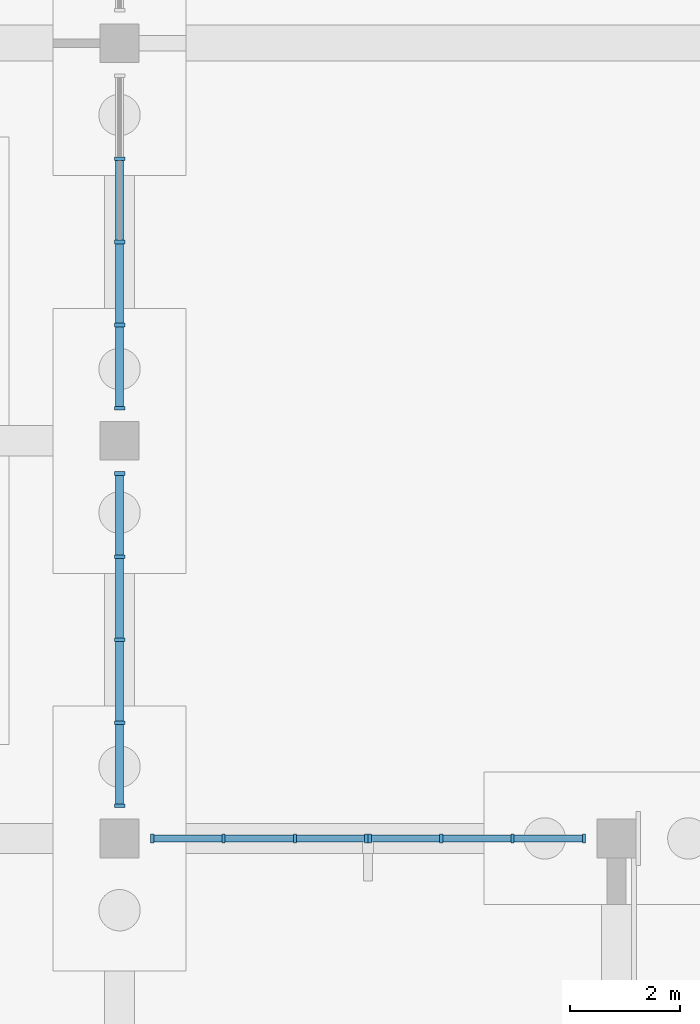
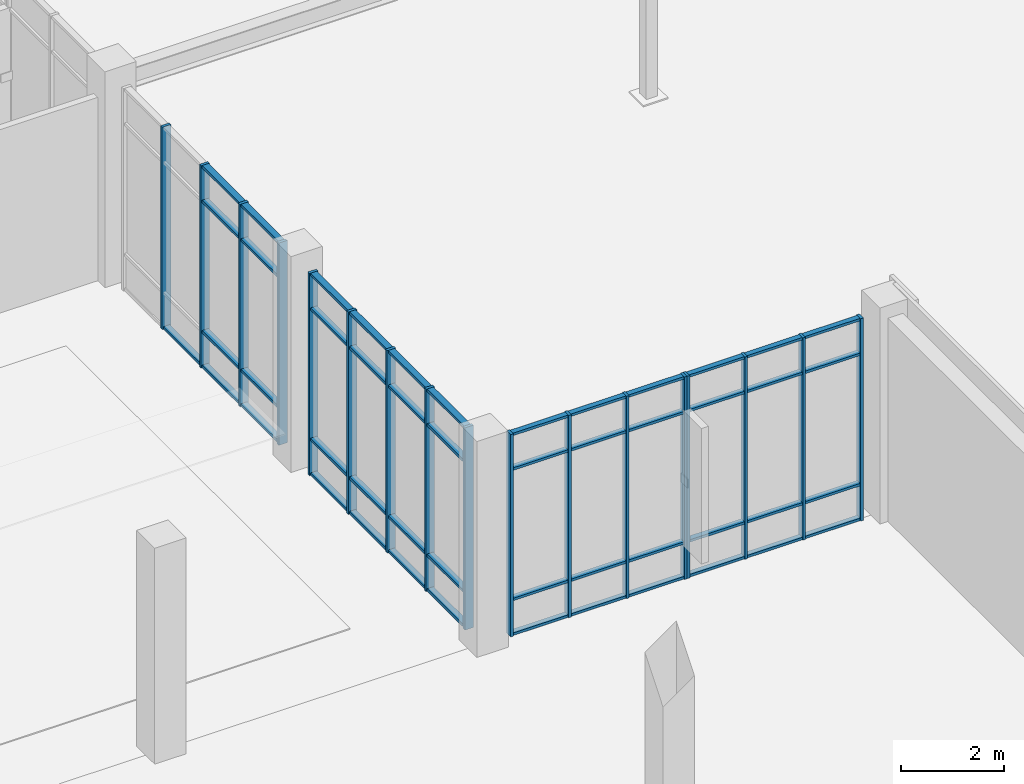
# One storey, part 35 of 94: 66 members, 4 elements without a shape of their own.
"""IFC4 building model written with IfcOpenShell, lengths in metres."""

from ifc_helpers import new_model, si_unit, direction, frame, origin, origin_2d, place, context, subcontext, project, spatial, rectangle, extrude, material, material_profile, profile_set, type_object, element, aggregate, save


model = new_model("IFC4")

# Units and contexts
model_context = context("Model", 3, precision=1e-05, world=origin(), true_north=direction((0.0, 1.0)))
body_context = subcontext(model_context, "Body", "Model", "MODEL_VIEW")
ifc_project = project(units=[si_unit("LENGTHUNIT", "METRE"), si_unit("AREAUNIT", "SQUARE_METRE"), si_unit("VOLUMEUNIT", "CUBIC_METRE"), si_unit("PLANEANGLEUNIT", "RADIAN"), si_unit("MASSUNIT", "GRAM", prefix="KILO")], contexts=[model_context])

# Site, building, storey
site_placement = place(None, origin())
site = spatial("IfcSite", under=ifc_project, at=site_placement, CompositionType="ELEMENT")
building_placement = place(site_placement, origin())
building = spatial("IfcBuilding", under=site, at=building_placement, Name="Vervanel Yard Central Library", CompositionType="ELEMENT")
storey_placement = place(building_placement, origin())
storey = spatial("IfcBuildingStorey", under=building, at=storey_placement, Name="L00", CompositionType="ELEMENT", Elevation=0.0)

# Curtain wall, members
ifc_material = material(Name="Thermally broken anodized aluminium 6063-T6", Category="aluminium")
curtain_wall_type_1 = type_object("IfcCurtainWallType", Name="Boulevard Cafe & Bridge Curtain Wall", PredefinedType="NOTDEFINED", material=ifc_material)
curtain_wall_1_placement = place(storey_placement, origin())
curtain_wall_1 = element("IfcCurtainWall", 1, at=curtain_wall_1_placement, inside=storey, type_object=curtain_wall_type_1, Name="L00 Boulevard Cafe & Bridge Curtain Wall CWR-L00-195", PredefinedType="NOTDEFINED")
ifc_material_profile_1 = material_profile(ifc_material, rectangle(XDim=0.06005859375, YDim=0.159912109375, at=origin_2d()), Name="ALU 60x160", Category="aluminium")
ifc_profile_set_1 = profile_set([ifc_material_profile_1], Name="Thermally broken anodized aluminium 6063-T6")
member_type_1 = type_object("IfcMemberType", Name="Bridge & Courtyard Mullion 60x160", PredefinedType="MULLION", material=ifc_profile_set_1)
member_1_placement = place(storey_placement, frame((36.590087890625, 28.800048828125, 0.0), z_axis=(0.0, 0.0, 1.0), x_axis=(1.0, 0.0, 0.0)))
member_1 = element("IfcMember", 2, at=member_1_placement, type_object=member_type_1, Name="CWR-L00-195 Mullion 1", PredefinedType="MULLION", context=body_context, shape_type="SweptSolid", body=[
    extrude(rectangle(XDim=0.06005859375, YDim=0.159912109375, at=origin_2d()), origin(), (0.0, 0.0, 1.0), 4.780029296875),
])
member_2_placement = place(storey_placement, frame((37.88330078125, 28.800048828125, 0.0), z_axis=(0.0, 0.0, 1.0), x_axis=(1.0, 0.0, 0.0)))
member_2 = element("IfcMember", 3, at=member_2_placement, type_object=member_type_1, Name="CWR-L00-195 Mullion 2", PredefinedType="MULLION", context=body_context, shape_type="SweptSolid", body=[
    extrude(rectangle(XDim=0.06005859375, YDim=0.159912109375, at=origin_2d()), origin(), (0.0, 0.0, 1.0), 4.780029296875),
])
member_3_placement = place(storey_placement, frame((39.1767578125, 28.800048828125, 0.0), z_axis=(0.0, 0.0, 1.0), x_axis=(1.0, 0.0, 0.0)))
member_3 = element("IfcMember", 4, at=member_3_placement, type_object=member_type_1, Name="CWR-L00-195 Mullion 3", PredefinedType="MULLION", context=body_context, shape_type="SweptSolid", body=[
    extrude(rectangle(XDim=0.06005859375, YDim=0.159912109375, at=origin_2d()), origin(), (0.0, 0.0, 1.0), 4.780029296875),
])
member_4_placement = place(storey_placement, frame((40.469970703125, 28.800048828125, 0.0), z_axis=(0.0, 0.0, 1.0), x_axis=(1.0, 0.0, 0.0)))
member_4 = element("IfcMember", 5, at=member_4_placement, type_object=member_type_1, Name="CWR-L00-195 Mullion 4", PredefinedType="MULLION", context=body_context, shape_type="SweptSolid", body=[
    extrude(rectangle(XDim=0.06005859375, YDim=0.159912109375, at=origin_2d()), origin(), (0.0, 0.0, 1.0), 4.780029296875),
])

curtain_wall_2_placement = place(storey_placement, origin())
curtain_wall_2 = element("IfcCurtainWall", 6, at=curtain_wall_2_placement, inside=storey, type_object=curtain_wall_type_1, Name="L00 Boulevard Cafe & Bridge Curtain Wall CWR-L00-196", PredefinedType="NOTDEFINED")
member_5_placement = place(storey_placement, frame((40.530029296875, 28.800048828125, 0.0), z_axis=(0.0, 0.0, 1.0), x_axis=(1.0, 0.0, 0.0)))
member_5 = element("IfcMember", 7, at=member_5_placement, type_object=member_type_1, Name="CWR-L00-196 Mullion 1", PredefinedType="MULLION", context=body_context, shape_type="SweptSolid", body=[
    extrude(rectangle(XDim=0.06005859375, YDim=0.159912109375, at=origin_2d()), origin(), (0.0, 0.0, 1.0), 4.780029296875),
])
member_6_placement = place(storey_placement, frame((41.8232421875, 28.800048828125, 0.0), z_axis=(0.0, 0.0, 1.0), x_axis=(1.0, 0.0, 0.0)))
member_6 = element("IfcMember", 8, at=member_6_placement, type_object=member_type_1, Name="CWR-L00-196 Mullion 2", PredefinedType="MULLION", context=body_context, shape_type="SweptSolid", body=[
    extrude(rectangle(XDim=0.06005859375, YDim=0.159912109375, at=origin_2d()), origin(), (0.0, 0.0, 1.0), 4.780029296875),
])
member_7_placement = place(storey_placement, frame((43.11669921875, 28.800048828125, 0.0), z_axis=(0.0, 0.0, 1.0), x_axis=(1.0, 0.0, 0.0)))
member_7 = element("IfcMember", 9, at=member_7_placement, type_object=member_type_1, Name="CWR-L00-196 Mullion 3", PredefinedType="MULLION", context=body_context, shape_type="SweptSolid", body=[
    extrude(rectangle(XDim=0.06005859375, YDim=0.159912109375, at=origin_2d()), origin(), (0.0, 0.0, 1.0), 4.780029296875),
])
member_8_placement = place(storey_placement, frame((44.409912109375, 28.800048828125, 0.0), z_axis=(0.0, 0.0, 1.0), x_axis=(1.0, 0.0, 0.0)))
member_8 = element("IfcMember", 10, at=member_8_placement, type_object=member_type_1, Name="CWR-L00-196 Mullion 4", PredefinedType="MULLION", context=body_context, shape_type="SweptSolid", body=[
    extrude(rectangle(XDim=0.06005859375, YDim=0.159912109375, at=origin_2d()), origin(), (0.0, 0.0, 1.0), 4.780029296875),
])

# Member
ifc_material_profile_2 = material_profile(ifc_material, rectangle(XDim=0.06005859375, YDim=0.1201171875, at=origin_2d()), Name="ALU 60x120", Category="aluminium")
ifc_profile_set_2 = profile_set([ifc_material_profile_2], Name="Thermally broken anodized aluminium 6063-T6")
member_type_2 = type_object("IfcMemberType", Name="Bridge & Courtyard Transom 60x120", PredefinedType="NOTDEFINED", material=ifc_profile_set_2)
member_9_placement = place(storey_placement, frame((36.6201171875, 28.800048828125, 0.030029296875), z_axis=(1.0, 0.0, 0.0), x_axis=(0.0, 0.0, 1.0)))
member_9 = element("IfcMember", 11, at=member_9_placement, type_object=member_type_2, Name="CWR-L00-195 Transom B1-T1", ObjectType="TRANSOM", PredefinedType="USERDEFINED", context=body_context, shape_type="SweptSolid", body=[
    extrude(rectangle(XDim=0.06005859375, YDim=0.1201171875, at=origin_2d()), origin(), (0.0, 0.0, 1.0), 1.233154296875),
])

member_10_placement = place(storey_placement, frame((36.6201171875, 28.800048828125, 0.85009765625), z_axis=(1.0, 0.0, 0.0), x_axis=(0.0, 0.0, 1.0)))
member_10 = element("IfcMember", 12, at=member_10_placement, type_object=member_type_2, Name="CWR-L00-195 Transom B1-T2", ObjectType="TRANSOM", PredefinedType="USERDEFINED", context=body_context, shape_type="SweptSolid", body=[
    extrude(rectangle(XDim=0.06005859375, YDim=0.1201171875, at=origin_2d()), origin(), (0.0, 0.0, 1.0), 1.233154296875),
])

member_11_placement = place(storey_placement, frame((36.6201171875, 28.800048828125, 3.929931640625), z_axis=(1.0, 0.0, 0.0), x_axis=(0.0, 0.0, 1.0)))
member_11 = element("IfcMember", 13, at=member_11_placement, type_object=member_type_2, Name="CWR-L00-195 Transom B1-T3", ObjectType="TRANSOM", PredefinedType="USERDEFINED", context=body_context, shape_type="SweptSolid", body=[
    extrude(rectangle(XDim=0.06005859375, YDim=0.1201171875, at=origin_2d()), origin(), (0.0, 0.0, 1.0), 1.233154296875),
])

member_12_placement = place(storey_placement, frame((36.6201171875, 28.800048828125, 4.75), z_axis=(1.0, 0.0, 0.0), x_axis=(0.0, 0.0, 1.0)))
member_12 = element("IfcMember", 14, at=member_12_placement, type_object=member_type_2, Name="CWR-L00-195 Transom B1-T4", ObjectType="TRANSOM", PredefinedType="USERDEFINED", context=body_context, shape_type="SweptSolid", body=[
    extrude(rectangle(XDim=0.06005859375, YDim=0.1201171875, at=origin_2d()), origin(), (0.0, 0.0, 1.0), 1.233154296875),
])

member_13_placement = place(storey_placement, frame((37.913330078125, 28.800048828125, 0.030029296875), z_axis=(1.0, 0.0, 0.0), x_axis=(0.0, 0.0, 1.0)))
member_13 = element("IfcMember", 15, at=member_13_placement, type_object=member_type_2, Name="CWR-L00-195 Transom B2-T1", ObjectType="TRANSOM", PredefinedType="USERDEFINED", context=body_context, shape_type="SweptSolid", body=[
    extrude(rectangle(XDim=0.06005859375, YDim=0.1201171875, at=origin_2d()), origin(), (0.0, 0.0, 1.0), 1.2333984375),
])

member_14_placement = place(storey_placement, frame((37.913330078125, 28.800048828125, 0.85009765625), z_axis=(1.0, 0.0, 0.0), x_axis=(0.0, 0.0, 1.0)))
member_14 = element("IfcMember", 16, at=member_14_placement, type_object=member_type_2, Name="CWR-L00-195 Transom B2-T2", ObjectType="TRANSOM", PredefinedType="USERDEFINED", context=body_context, shape_type="SweptSolid", body=[
    extrude(rectangle(XDim=0.06005859375, YDim=0.1201171875, at=origin_2d()), origin(), (0.0, 0.0, 1.0), 1.2333984375),
])

member_15_placement = place(storey_placement, frame((37.913330078125, 28.800048828125, 3.929931640625), z_axis=(1.0, 0.0, 0.0), x_axis=(0.0, 0.0, 1.0)))
member_15 = element("IfcMember", 17, at=member_15_placement, type_object=member_type_2, Name="CWR-L00-195 Transom B2-T3", ObjectType="TRANSOM", PredefinedType="USERDEFINED", context=body_context, shape_type="SweptSolid", body=[
    extrude(rectangle(XDim=0.06005859375, YDim=0.1201171875, at=origin_2d()), origin(), (0.0, 0.0, 1.0), 1.2333984375),
])

member_16_placement = place(storey_placement, frame((37.913330078125, 28.800048828125, 4.75), z_axis=(1.0, 0.0, 0.0), x_axis=(0.0, 0.0, 1.0)))
member_16 = element("IfcMember", 18, at=member_16_placement, type_object=member_type_2, Name="CWR-L00-195 Transom B2-T4", ObjectType="TRANSOM", PredefinedType="USERDEFINED", context=body_context, shape_type="SweptSolid", body=[
    extrude(rectangle(XDim=0.06005859375, YDim=0.1201171875, at=origin_2d()), origin(), (0.0, 0.0, 1.0), 1.2333984375),
])

member_17_placement = place(storey_placement, frame((39.206787109375, 28.800048828125, 0.030029296875), z_axis=(1.0, 0.0, 0.0), x_axis=(0.0, 0.0, 1.0)))
member_17 = element("IfcMember", 19, at=member_17_placement, type_object=member_type_2, Name="CWR-L00-195 Transom B3-T1", ObjectType="TRANSOM", PredefinedType="USERDEFINED", context=body_context, shape_type="SweptSolid", body=[
    extrude(rectangle(XDim=0.06005859375, YDim=0.1201171875, at=origin_2d()), origin(), (0.0, 0.0, 1.0), 1.233154296875),
])

member_18_placement = place(storey_placement, frame((39.206787109375, 28.800048828125, 0.85009765625), z_axis=(1.0, 0.0, 0.0), x_axis=(0.0, 0.0, 1.0)))
member_18 = element("IfcMember", 20, at=member_18_placement, type_object=member_type_2, Name="CWR-L00-195 Transom B3-T2", ObjectType="TRANSOM", PredefinedType="USERDEFINED", context=body_context, shape_type="SweptSolid", body=[
    extrude(rectangle(XDim=0.06005859375, YDim=0.1201171875, at=origin_2d()), origin(), (0.0, 0.0, 1.0), 1.233154296875),
])

member_19_placement = place(storey_placement, frame((39.206787109375, 28.800048828125, 3.929931640625), z_axis=(1.0, 0.0, 0.0), x_axis=(0.0, 0.0, 1.0)))
member_19 = element("IfcMember", 21, at=member_19_placement, type_object=member_type_2, Name="CWR-L00-195 Transom B3-T3", ObjectType="TRANSOM", PredefinedType="USERDEFINED", context=body_context, shape_type="SweptSolid", body=[
    extrude(rectangle(XDim=0.06005859375, YDim=0.1201171875, at=origin_2d()), origin(), (0.0, 0.0, 1.0), 1.233154296875),
])

member_20_placement = place(storey_placement, frame((39.206787109375, 28.800048828125, 4.75), z_axis=(1.0, 0.0, 0.0), x_axis=(0.0, 0.0, 1.0)))
member_20 = element("IfcMember", 22, at=member_20_placement, type_object=member_type_2, Name="CWR-L00-195 Transom B3-T4", ObjectType="TRANSOM", PredefinedType="USERDEFINED", context=body_context, shape_type="SweptSolid", body=[
    extrude(rectangle(XDim=0.06005859375, YDim=0.1201171875, at=origin_2d()), origin(), (0.0, 0.0, 1.0), 1.233154296875),
])

aggregate(curtain_wall_1, [member_1, member_2, member_3, member_4, member_9, member_10, member_11, member_12, member_13, member_14, member_15, member_16, member_17, member_18, member_19, member_20])

member_21_placement = place(storey_placement, frame((40.56005859375, 28.800048828125, 0.030029296875), z_axis=(1.0, 0.0, 0.0), x_axis=(0.0, 0.0, 1.0)))
member_21 = element("IfcMember", 23, at=member_21_placement, type_object=member_type_2, Name="CWR-L00-196 Transom B1-T1", ObjectType="TRANSOM", PredefinedType="USERDEFINED", context=body_context, shape_type="SweptSolid", body=[
    extrude(rectangle(XDim=0.06005859375, YDim=0.1201171875, at=origin_2d()), origin(), (0.0, 0.0, 1.0), 1.233154296875),
])

member_22_placement = place(storey_placement, frame((40.56005859375, 28.800048828125, 0.85009765625), z_axis=(1.0, 0.0, 0.0), x_axis=(0.0, 0.0, 1.0)))
member_22 = element("IfcMember", 24, at=member_22_placement, type_object=member_type_2, Name="CWR-L00-196 Transom B1-T2", ObjectType="TRANSOM", PredefinedType="USERDEFINED", context=body_context, shape_type="SweptSolid", body=[
    extrude(rectangle(XDim=0.06005859375, YDim=0.1201171875, at=origin_2d()), origin(), (0.0, 0.0, 1.0), 1.233154296875),
])

member_23_placement = place(storey_placement, frame((40.56005859375, 28.800048828125, 3.929931640625), z_axis=(1.0, 0.0, 0.0), x_axis=(0.0, 0.0, 1.0)))
member_23 = element("IfcMember", 25, at=member_23_placement, type_object=member_type_2, Name="CWR-L00-196 Transom B1-T3", ObjectType="TRANSOM", PredefinedType="USERDEFINED", context=body_context, shape_type="SweptSolid", body=[
    extrude(rectangle(XDim=0.06005859375, YDim=0.1201171875, at=origin_2d()), origin(), (0.0, 0.0, 1.0), 1.233154296875),
])

member_24_placement = place(storey_placement, frame((40.56005859375, 28.800048828125, 4.75), z_axis=(1.0, 0.0, 0.0), x_axis=(0.0, 0.0, 1.0)))
member_24 = element("IfcMember", 26, at=member_24_placement, type_object=member_type_2, Name="CWR-L00-196 Transom B1-T4", ObjectType="TRANSOM", PredefinedType="USERDEFINED", context=body_context, shape_type="SweptSolid", body=[
    extrude(rectangle(XDim=0.06005859375, YDim=0.1201171875, at=origin_2d()), origin(), (0.0, 0.0, 1.0), 1.233154296875),
])

member_25_placement = place(storey_placement, frame((41.853271484375, 28.800048828125, 0.030029296875), z_axis=(1.0, 0.0, 0.0), x_axis=(0.0, 0.0, 1.0)))
member_25 = element("IfcMember", 27, at=member_25_placement, type_object=member_type_2, Name="CWR-L00-196 Transom B2-T1", ObjectType="TRANSOM", PredefinedType="USERDEFINED", context=body_context, shape_type="SweptSolid", body=[
    extrude(rectangle(XDim=0.06005859375, YDim=0.1201171875, at=origin_2d()), origin(), (0.0, 0.0, 1.0), 1.2333984375),
])

member_26_placement = place(storey_placement, frame((41.853271484375, 28.800048828125, 0.85009765625), z_axis=(1.0, 0.0, 0.0), x_axis=(0.0, 0.0, 1.0)))
member_26 = element("IfcMember", 28, at=member_26_placement, type_object=member_type_2, Name="CWR-L00-196 Transom B2-T2", ObjectType="TRANSOM", PredefinedType="USERDEFINED", context=body_context, shape_type="SweptSolid", body=[
    extrude(rectangle(XDim=0.06005859375, YDim=0.1201171875, at=origin_2d()), origin(), (0.0, 0.0, 1.0), 1.2333984375),
])

member_27_placement = place(storey_placement, frame((41.853271484375, 28.800048828125, 3.929931640625), z_axis=(1.0, 0.0, 0.0), x_axis=(0.0, 0.0, 1.0)))
member_27 = element("IfcMember", 29, at=member_27_placement, type_object=member_type_2, Name="CWR-L00-196 Transom B2-T3", ObjectType="TRANSOM", PredefinedType="USERDEFINED", context=body_context, shape_type="SweptSolid", body=[
    extrude(rectangle(XDim=0.06005859375, YDim=0.1201171875, at=origin_2d()), origin(), (0.0, 0.0, 1.0), 1.2333984375),
])

member_28_placement = place(storey_placement, frame((41.853271484375, 28.800048828125, 4.75), z_axis=(1.0, 0.0, 0.0), x_axis=(0.0, 0.0, 1.0)))
member_28 = element("IfcMember", 30, at=member_28_placement, type_object=member_type_2, Name="CWR-L00-196 Transom B2-T4", ObjectType="TRANSOM", PredefinedType="USERDEFINED", context=body_context, shape_type="SweptSolid", body=[
    extrude(rectangle(XDim=0.06005859375, YDim=0.1201171875, at=origin_2d()), origin(), (0.0, 0.0, 1.0), 1.2333984375),
])

member_29_placement = place(storey_placement, frame((43.146728515625, 28.800048828125, 0.030029296875), z_axis=(1.0, 0.0, 0.0), x_axis=(0.0, 0.0, 1.0)))
member_29 = element("IfcMember", 31, at=member_29_placement, type_object=member_type_2, Name="CWR-L00-196 Transom B3-T1", ObjectType="TRANSOM", PredefinedType="USERDEFINED", context=body_context, shape_type="SweptSolid", body=[
    extrude(rectangle(XDim=0.06005859375, YDim=0.1201171875, at=origin_2d()), origin(), (0.0, 0.0, 1.0), 1.233154296875),
])

member_30_placement = place(storey_placement, frame((43.146728515625, 28.800048828125, 0.85009765625), z_axis=(1.0, 0.0, 0.0), x_axis=(0.0, 0.0, 1.0)))
member_30 = element("IfcMember", 32, at=member_30_placement, type_object=member_type_2, Name="CWR-L00-196 Transom B3-T2", ObjectType="TRANSOM", PredefinedType="USERDEFINED", context=body_context, shape_type="SweptSolid", body=[
    extrude(rectangle(XDim=0.06005859375, YDim=0.1201171875, at=origin_2d()), origin(), (0.0, 0.0, 1.0), 1.233154296875),
])

member_31_placement = place(storey_placement, frame((43.146728515625, 28.800048828125, 3.929931640625), z_axis=(1.0, 0.0, 0.0), x_axis=(0.0, 0.0, 1.0)))
member_31 = element("IfcMember", 33, at=member_31_placement, type_object=member_type_2, Name="CWR-L00-196 Transom B3-T3", ObjectType="TRANSOM", PredefinedType="USERDEFINED", context=body_context, shape_type="SweptSolid", body=[
    extrude(rectangle(XDim=0.06005859375, YDim=0.1201171875, at=origin_2d()), origin(), (0.0, 0.0, 1.0), 1.233154296875),
])

member_32_placement = place(storey_placement, frame((43.146728515625, 28.800048828125, 4.75), z_axis=(1.0, 0.0, 0.0), x_axis=(0.0, 0.0, 1.0)))
member_32 = element("IfcMember", 34, at=member_32_placement, type_object=member_type_2, Name="CWR-L00-196 Transom B3-T4", ObjectType="TRANSOM", PredefinedType="USERDEFINED", context=body_context, shape_type="SweptSolid", body=[
    extrude(rectangle(XDim=0.06005859375, YDim=0.1201171875, at=origin_2d()), origin(), (0.0, 0.0, 1.0), 1.233154296875),
])

aggregate(curtain_wall_2, [member_5, member_6, member_7, member_8, member_21, member_22, member_23, member_24, member_25, member_26, member_27, member_28, member_29, member_30, member_31, member_32])

# Curtain wall, members
curtain_wall_type_2 = type_object("IfcCurtainWallType", Name="Atrium Courtyard Curtain Wall", PredefinedType="NOTDEFINED", material=ifc_material)
curtain_wall_3_placement = place(storey_placement, origin())
curtain_wall_3 = element("IfcCurtainWall", 35, at=curtain_wall_3_placement, inside=storey, type_object=curtain_wall_type_2, Name="L00 Atrium Courtyard Curtain Wall CWR-L00-017", PredefinedType="NOTDEFINED")
ifc_material_profile_3 = material_profile(ifc_material, rectangle(XDim=0.06494140625, YDim=0.18994140625, at=origin_2d()), Name="ALU 65x190", Category="aluminium")
ifc_profile_set_3 = profile_set([ifc_material_profile_3], Name="Thermally broken anodized aluminium 6063-T6")
member_type_3 = type_object("IfcMemberType", Name="Curtain Wall Primary Mullion 65x190", PredefinedType="MULLION", material=ifc_profile_set_3)
member_33_placement = place(storey_placement, frame((36.0, 29.392578125, 0.0), z_axis=(0.0, 0.0, 1.0), x_axis=(0.0, 1.0, 0.0)))
member_33 = element("IfcMember", 36, at=member_33_placement, type_object=member_type_3, Name="CWR-L00-017 Mullion 1", PredefinedType="MULLION", context=body_context, shape_type="SweptSolid", body=[
    extrude(rectangle(XDim=0.06494140625, YDim=0.18994140625, at=origin_2d()), origin(), (0.0, 0.0, 1.0), 4.780029296875),
])
member_34_placement = place(storey_placement, frame((36.0, 30.896240234375, 0.0), z_axis=(0.0, 0.0, 1.0), x_axis=(0.0, 1.0, 0.0)))
member_34 = element("IfcMember", 37, at=member_34_placement, type_object=member_type_3, Name="CWR-L00-017 Mullion 2", PredefinedType="MULLION", context=body_context, shape_type="SweptSolid", body=[
    extrude(rectangle(XDim=0.06494140625, YDim=0.18994140625, at=origin_2d()), origin(), (0.0, 0.0, 1.0), 4.780029296875),
])
member_35_placement = place(storey_placement, frame((36.0, 32.39990234375, 0.0), z_axis=(0.0, 0.0, 1.0), x_axis=(0.0, 1.0, 0.0)))
member_35 = element("IfcMember", 38, at=member_35_placement, type_object=member_type_3, Name="CWR-L00-017 Mullion 3", PredefinedType="MULLION", context=body_context, shape_type="SweptSolid", body=[
    extrude(rectangle(XDim=0.06494140625, YDim=0.18994140625, at=origin_2d()), origin(), (0.0, 0.0, 1.0), 4.780029296875),
])
member_36_placement = place(storey_placement, frame((36.0, 33.90380859375, 0.0), z_axis=(0.0, 0.0, 1.0), x_axis=(0.0, 1.0, 0.0)))
member_36 = element("IfcMember", 39, at=member_36_placement, type_object=member_type_3, Name="CWR-L00-017 Mullion 4", PredefinedType="MULLION", context=body_context, shape_type="SweptSolid", body=[
    extrude(rectangle(XDim=0.06494140625, YDim=0.18994140625, at=origin_2d()), origin(), (0.0, 0.0, 1.0), 4.780029296875),
])
member_37_placement = place(storey_placement, frame((36.0, 35.407470703125, 0.0), z_axis=(0.0, 0.0, 1.0), x_axis=(0.0, 1.0, 0.0)))
member_37 = element("IfcMember", 40, at=member_37_placement, type_object=member_type_3, Name="CWR-L00-017 Mullion 5", PredefinedType="MULLION", context=body_context, shape_type="SweptSolid", body=[
    extrude(rectangle(XDim=0.06494140625, YDim=0.18994140625, at=origin_2d()), origin(), (0.0, 0.0, 1.0), 4.780029296875),
])

curtain_wall_4_placement = place(storey_placement, origin())
curtain_wall_4 = element("IfcCurtainWall", 41, at=curtain_wall_4_placement, inside=storey, type_object=curtain_wall_type_2, Name="L00 Atrium Courtyard Curtain Wall CWR-L00-018", PredefinedType="NOTDEFINED")
member_38_placement = place(storey_placement, frame((36.0, 36.592529296875, 0.0), z_axis=(0.0, 0.0, 1.0), x_axis=(0.0, 1.0, 0.0)))
member_38 = element("IfcMember", 42, at=member_38_placement, type_object=member_type_3, Name="CWR-L00-018 Mullion 1", PredefinedType="MULLION", context=body_context, shape_type="SweptSolid", body=[
    extrude(rectangle(XDim=0.06494140625, YDim=0.18994140625, at=origin_2d()), origin(), (0.0, 0.0, 1.0), 4.780029296875),
])
member_39_placement = place(storey_placement, frame((36.0, 38.09619140625, 0.0), z_axis=(0.0, 0.0, 1.0), x_axis=(0.0, 1.0, 0.0)))
member_39 = element("IfcMember", 43, at=member_39_placement, type_object=member_type_3, Name="CWR-L00-018 Mullion 2", PredefinedType="MULLION", context=body_context, shape_type="SweptSolid", body=[
    extrude(rectangle(XDim=0.06494140625, YDim=0.18994140625, at=origin_2d()), origin(), (0.0, 0.0, 1.0), 4.780029296875),
])
member_40_placement = place(storey_placement, frame((36.0, 39.60009765625, 0.0), z_axis=(0.0, 0.0, 1.0), x_axis=(0.0, 1.0, 0.0)))
member_40 = element("IfcMember", 44, at=member_40_placement, type_object=member_type_3, Name="CWR-L00-018 Mullion 3", PredefinedType="MULLION", context=body_context, shape_type="SweptSolid", body=[
    extrude(rectangle(XDim=0.06494140625, YDim=0.18994140625, at=origin_2d()), origin(), (0.0, 0.0, 1.0), 4.780029296875),
])
member_41_placement = place(storey_placement, frame((36.0, 41.103759765625, 0.0), z_axis=(0.0, 0.0, 1.0), x_axis=(0.0, 1.0, 0.0)))
member_41 = element("IfcMember", 45, at=member_41_placement, type_object=member_type_3, Name="CWR-L00-018 Mullion 4", PredefinedType="MULLION", context=body_context, shape_type="SweptSolid", body=[
    extrude(rectangle(XDim=0.06494140625, YDim=0.18994140625, at=origin_2d()), origin(), (0.0, 0.0, 1.0), 4.780029296875),
])

# Member
ifc_material_profile_4 = material_profile(ifc_material, rectangle(XDim=0.06494140625, YDim=0.139892578125, at=origin_2d()), Name="ALU 65x140", Category="aluminium")
ifc_profile_set_4 = profile_set([ifc_material_profile_4], Name="Thermally broken anodized aluminium 6063-T6")
member_type_4 = type_object("IfcMemberType", Name="Curtain Wall Transom 65x140", PredefinedType="NOTDEFINED", material=ifc_profile_set_4)
member_42_placement = place(storey_placement, frame((36.0, 29.425048828125, 0.032470703125), z_axis=(0.0, 1.0, 0.0), x_axis=(0.0, 0.0, 1.0)))
member_42 = element("IfcMember", 46, at=member_42_placement, type_object=member_type_4, Name="CWR-L00-017 Transom B1-T1", ObjectType="TRANSOM", PredefinedType="USERDEFINED", context=body_context, shape_type="SweptSolid", body=[
    extrude(rectangle(XDim=0.06494140625, YDim=0.139892578125, at=origin_2d()), origin(), (0.0, 0.0, 1.0), 1.438720703125),
])

member_43_placement = place(storey_placement, frame((36.0, 29.425048828125, 0.85009765625), z_axis=(0.0, 1.0, 0.0), x_axis=(0.0, 0.0, 1.0)))
member_43 = element("IfcMember", 47, at=member_43_placement, type_object=member_type_4, Name="CWR-L00-017 Transom B1-T2", ObjectType="TRANSOM", PredefinedType="USERDEFINED", context=body_context, shape_type="SweptSolid", body=[
    extrude(rectangle(XDim=0.06494140625, YDim=0.139892578125, at=origin_2d()), origin(), (0.0, 0.0, 1.0), 1.438720703125),
])

member_44_placement = place(storey_placement, frame((36.0, 29.425048828125, 3.929931640625), z_axis=(0.0, 1.0, 0.0), x_axis=(0.0, 0.0, 1.0)))
member_44 = element("IfcMember", 48, at=member_44_placement, type_object=member_type_4, Name="CWR-L00-017 Transom B1-T3", ObjectType="TRANSOM", PredefinedType="USERDEFINED", context=body_context, shape_type="SweptSolid", body=[
    extrude(rectangle(XDim=0.06494140625, YDim=0.139892578125, at=origin_2d()), origin(), (0.0, 0.0, 1.0), 1.438720703125),
])

member_45_placement = place(storey_placement, frame((36.0, 29.425048828125, 4.74755859375), z_axis=(0.0, 1.0, 0.0), x_axis=(0.0, 0.0, 1.0)))
member_45 = element("IfcMember", 49, at=member_45_placement, type_object=member_type_4, Name="CWR-L00-017 Transom B1-T4", ObjectType="TRANSOM", PredefinedType="USERDEFINED", context=body_context, shape_type="SweptSolid", body=[
    extrude(rectangle(XDim=0.06494140625, YDim=0.139892578125, at=origin_2d()), origin(), (0.0, 0.0, 1.0), 1.438720703125),
])

member_46_placement = place(storey_placement, frame((36.0, 30.9287109375, 0.032470703125), z_axis=(0.0, 1.0, 0.0), x_axis=(0.0, 0.0, 1.0)))
member_46 = element("IfcMember", 50, at=member_46_placement, type_object=member_type_4, Name="CWR-L00-017 Transom B2-T1", ObjectType="TRANSOM", PredefinedType="USERDEFINED", context=body_context, shape_type="SweptSolid", body=[
    extrude(rectangle(XDim=0.06494140625, YDim=0.139892578125, at=origin_2d()), origin(), (0.0, 0.0, 1.0), 1.438720703125),
])

member_47_placement = place(storey_placement, frame((36.0, 30.9287109375, 0.85009765625), z_axis=(0.0, 1.0, 0.0), x_axis=(0.0, 0.0, 1.0)))
member_47 = element("IfcMember", 51, at=member_47_placement, type_object=member_type_4, Name="CWR-L00-017 Transom B2-T2", ObjectType="TRANSOM", PredefinedType="USERDEFINED", context=body_context, shape_type="SweptSolid", body=[
    extrude(rectangle(XDim=0.06494140625, YDim=0.139892578125, at=origin_2d()), origin(), (0.0, 0.0, 1.0), 1.438720703125),
])

member_48_placement = place(storey_placement, frame((36.0, 30.9287109375, 3.929931640625), z_axis=(0.0, 1.0, 0.0), x_axis=(0.0, 0.0, 1.0)))
member_48 = element("IfcMember", 52, at=member_48_placement, type_object=member_type_4, Name="CWR-L00-017 Transom B2-T3", ObjectType="TRANSOM", PredefinedType="USERDEFINED", context=body_context, shape_type="SweptSolid", body=[
    extrude(rectangle(XDim=0.06494140625, YDim=0.139892578125, at=origin_2d()), origin(), (0.0, 0.0, 1.0), 1.438720703125),
])

member_49_placement = place(storey_placement, frame((36.0, 30.9287109375, 4.74755859375), z_axis=(0.0, 1.0, 0.0), x_axis=(0.0, 0.0, 1.0)))
member_49 = element("IfcMember", 53, at=member_49_placement, type_object=member_type_4, Name="CWR-L00-017 Transom B2-T4", ObjectType="TRANSOM", PredefinedType="USERDEFINED", context=body_context, shape_type="SweptSolid", body=[
    extrude(rectangle(XDim=0.06494140625, YDim=0.139892578125, at=origin_2d()), origin(), (0.0, 0.0, 1.0), 1.438720703125),
])

member_50_placement = place(storey_placement, frame((36.0, 32.4326171875, 0.032470703125), z_axis=(0.0, 1.0, 0.0), x_axis=(0.0, 0.0, 1.0)))
member_50 = element("IfcMember", 54, at=member_50_placement, type_object=member_type_4, Name="CWR-L00-017 Transom B3-T1", ObjectType="TRANSOM", PredefinedType="USERDEFINED", context=body_context, shape_type="SweptSolid", body=[
    extrude(rectangle(XDim=0.06494140625, YDim=0.139892578125, at=origin_2d()), origin(), (0.0, 0.0, 1.0), 1.438720703125),
])

member_51_placement = place(storey_placement, frame((36.0, 32.4326171875, 0.85009765625), z_axis=(0.0, 1.0, 0.0), x_axis=(0.0, 0.0, 1.0)))
member_51 = element("IfcMember", 55, at=member_51_placement, type_object=member_type_4, Name="CWR-L00-017 Transom B3-T2", ObjectType="TRANSOM", PredefinedType="USERDEFINED", context=body_context, shape_type="SweptSolid", body=[
    extrude(rectangle(XDim=0.06494140625, YDim=0.139892578125, at=origin_2d()), origin(), (0.0, 0.0, 1.0), 1.438720703125),
])

member_52_placement = place(storey_placement, frame((36.0, 32.4326171875, 3.929931640625), z_axis=(0.0, 1.0, 0.0), x_axis=(0.0, 0.0, 1.0)))
member_52 = element("IfcMember", 56, at=member_52_placement, type_object=member_type_4, Name="CWR-L00-017 Transom B3-T3", ObjectType="TRANSOM", PredefinedType="USERDEFINED", context=body_context, shape_type="SweptSolid", body=[
    extrude(rectangle(XDim=0.06494140625, YDim=0.139892578125, at=origin_2d()), origin(), (0.0, 0.0, 1.0), 1.438720703125),
])

member_53_placement = place(storey_placement, frame((36.0, 32.4326171875, 4.74755859375), z_axis=(0.0, 1.0, 0.0), x_axis=(0.0, 0.0, 1.0)))
member_53 = element("IfcMember", 57, at=member_53_placement, type_object=member_type_4, Name="CWR-L00-017 Transom B3-T4", ObjectType="TRANSOM", PredefinedType="USERDEFINED", context=body_context, shape_type="SweptSolid", body=[
    extrude(rectangle(XDim=0.06494140625, YDim=0.139892578125, at=origin_2d()), origin(), (0.0, 0.0, 1.0), 1.438720703125),
])

member_54_placement = place(storey_placement, frame((36.0, 33.936279296875, 0.032470703125), z_axis=(0.0, 1.0, 0.0), x_axis=(0.0, 0.0, 1.0)))
member_54 = element("IfcMember", 58, at=member_54_placement, type_object=member_type_4, Name="CWR-L00-017 Transom B4-T1", ObjectType="TRANSOM", PredefinedType="USERDEFINED", context=body_context, shape_type="SweptSolid", body=[
    extrude(rectangle(XDim=0.06494140625, YDim=0.139892578125, at=origin_2d()), origin(), (0.0, 0.0, 1.0), 1.438720703125),
])

member_55_placement = place(storey_placement, frame((36.0, 33.936279296875, 0.85009765625), z_axis=(0.0, 1.0, 0.0), x_axis=(0.0, 0.0, 1.0)))
member_55 = element("IfcMember", 59, at=member_55_placement, type_object=member_type_4, Name="CWR-L00-017 Transom B4-T2", ObjectType="TRANSOM", PredefinedType="USERDEFINED", context=body_context, shape_type="SweptSolid", body=[
    extrude(rectangle(XDim=0.06494140625, YDim=0.139892578125, at=origin_2d()), origin(), (0.0, 0.0, 1.0), 1.438720703125),
])

member_56_placement = place(storey_placement, frame((36.0, 33.936279296875, 3.929931640625), z_axis=(0.0, 1.0, 0.0), x_axis=(0.0, 0.0, 1.0)))
member_56 = element("IfcMember", 60, at=member_56_placement, type_object=member_type_4, Name="CWR-L00-017 Transom B4-T3", ObjectType="TRANSOM", PredefinedType="USERDEFINED", context=body_context, shape_type="SweptSolid", body=[
    extrude(rectangle(XDim=0.06494140625, YDim=0.139892578125, at=origin_2d()), origin(), (0.0, 0.0, 1.0), 1.438720703125),
])

member_57_placement = place(storey_placement, frame((36.0, 33.936279296875, 4.74755859375), z_axis=(0.0, 1.0, 0.0), x_axis=(0.0, 0.0, 1.0)))
member_57 = element("IfcMember", 61, at=member_57_placement, type_object=member_type_4, Name="CWR-L00-017 Transom B4-T4", ObjectType="TRANSOM", PredefinedType="USERDEFINED", context=body_context, shape_type="SweptSolid", body=[
    extrude(rectangle(XDim=0.06494140625, YDim=0.139892578125, at=origin_2d()), origin(), (0.0, 0.0, 1.0), 1.438720703125),
])

aggregate(curtain_wall_3, [member_33, member_34, member_35, member_36, member_37, member_42, member_43, member_44, member_45, member_46, member_47, member_48, member_49, member_50, member_51, member_52, member_53, member_54, member_55, member_56, member_57])

member_58_placement = place(storey_placement, frame((36.0, 36.625, 0.032470703125), z_axis=(0.0, 1.0, 0.0), x_axis=(0.0, 0.0, 1.0)))
member_58 = element("IfcMember", 62, at=member_58_placement, type_object=member_type_4, Name="CWR-L00-018 Transom B1-T1", ObjectType="TRANSOM", PredefinedType="USERDEFINED", context=body_context, shape_type="SweptSolid", body=[
    extrude(rectangle(XDim=0.06494140625, YDim=0.139892578125, at=origin_2d()), origin(), (0.0, 0.0, 1.0), 1.438720703125),
])

member_59_placement = place(storey_placement, frame((36.0, 36.625, 0.85009765625), z_axis=(0.0, 1.0, 0.0), x_axis=(0.0, 0.0, 1.0)))
member_59 = element("IfcMember", 63, at=member_59_placement, type_object=member_type_4, Name="CWR-L00-018 Transom B1-T2", ObjectType="TRANSOM", PredefinedType="USERDEFINED", context=body_context, shape_type="SweptSolid", body=[
    extrude(rectangle(XDim=0.06494140625, YDim=0.139892578125, at=origin_2d()), origin(), (0.0, 0.0, 1.0), 1.438720703125),
])

member_60_placement = place(storey_placement, frame((36.0, 36.625, 3.929931640625), z_axis=(0.0, 1.0, 0.0), x_axis=(0.0, 0.0, 1.0)))
member_60 = element("IfcMember", 64, at=member_60_placement, type_object=member_type_4, Name="CWR-L00-018 Transom B1-T3", ObjectType="TRANSOM", PredefinedType="USERDEFINED", context=body_context, shape_type="SweptSolid", body=[
    extrude(rectangle(XDim=0.06494140625, YDim=0.139892578125, at=origin_2d()), origin(), (0.0, 0.0, 1.0), 1.438720703125),
])

member_61_placement = place(storey_placement, frame((36.0, 36.625, 4.74755859375), z_axis=(0.0, 1.0, 0.0), x_axis=(0.0, 0.0, 1.0)))
member_61 = element("IfcMember", 65, at=member_61_placement, type_object=member_type_4, Name="CWR-L00-018 Transom B1-T4", ObjectType="TRANSOM", PredefinedType="USERDEFINED", context=body_context, shape_type="SweptSolid", body=[
    extrude(rectangle(XDim=0.06494140625, YDim=0.139892578125, at=origin_2d()), origin(), (0.0, 0.0, 1.0), 1.438720703125),
])

member_62_placement = place(storey_placement, frame((36.0, 38.128662109375, 0.032470703125), z_axis=(0.0, 1.0, 0.0), x_axis=(0.0, 0.0, 1.0)))
member_62 = element("IfcMember", 66, at=member_62_placement, type_object=member_type_4, Name="CWR-L00-018 Transom B2-T1", ObjectType="TRANSOM", PredefinedType="USERDEFINED", context=body_context, shape_type="SweptSolid", body=[
    extrude(rectangle(XDim=0.06494140625, YDim=0.139892578125, at=origin_2d()), origin(), (0.0, 0.0, 1.0), 1.438720703125),
])

member_63_placement = place(storey_placement, frame((36.0, 38.128662109375, 0.85009765625), z_axis=(0.0, 1.0, 0.0), x_axis=(0.0, 0.0, 1.0)))
member_63 = element("IfcMember", 67, at=member_63_placement, type_object=member_type_4, Name="CWR-L00-018 Transom B2-T2", ObjectType="TRANSOM", PredefinedType="USERDEFINED", context=body_context, shape_type="SweptSolid", body=[
    extrude(rectangle(XDim=0.06494140625, YDim=0.139892578125, at=origin_2d()), origin(), (0.0, 0.0, 1.0), 1.438720703125),
])

member_64_placement = place(storey_placement, frame((36.0, 38.128662109375, 3.929931640625), z_axis=(0.0, 1.0, 0.0), x_axis=(0.0, 0.0, 1.0)))
member_64 = element("IfcMember", 68, at=member_64_placement, type_object=member_type_4, Name="CWR-L00-018 Transom B2-T3", ObjectType="TRANSOM", PredefinedType="USERDEFINED", context=body_context, shape_type="SweptSolid", body=[
    extrude(rectangle(XDim=0.06494140625, YDim=0.139892578125, at=origin_2d()), origin(), (0.0, 0.0, 1.0), 1.438720703125),
])

member_65_placement = place(storey_placement, frame((36.0, 38.128662109375, 4.74755859375), z_axis=(0.0, 1.0, 0.0), x_axis=(0.0, 0.0, 1.0)))
member_65 = element("IfcMember", 69, at=member_65_placement, type_object=member_type_4, Name="CWR-L00-018 Transom B2-T4", ObjectType="TRANSOM", PredefinedType="USERDEFINED", context=body_context, shape_type="SweptSolid", body=[
    extrude(rectangle(XDim=0.06494140625, YDim=0.139892578125, at=origin_2d()), origin(), (0.0, 0.0, 1.0), 1.438720703125),
])

member_66_placement = place(storey_placement, frame((36.0, 39.632568359375, 0.032470703125), z_axis=(0.0, 1.0, 0.0), x_axis=(0.0, 0.0, 1.0)))
member_66 = element("IfcMember", 70, at=member_66_placement, type_object=member_type_4, Name="CWR-L00-018 Transom B3-T1", ObjectType="TRANSOM", PredefinedType="USERDEFINED", context=body_context, shape_type="SweptSolid", body=[
    extrude(rectangle(XDim=0.06494140625, YDim=0.139892578125, at=origin_2d()), origin(), (0.0, 0.0, 1.0), 1.438720703125),
])

aggregate(curtain_wall_4, [member_38, member_39, member_40, member_41, member_58, member_59, member_60, member_61, member_62, member_63, member_64, member_65, member_66])

save(model, "model.ifc")
